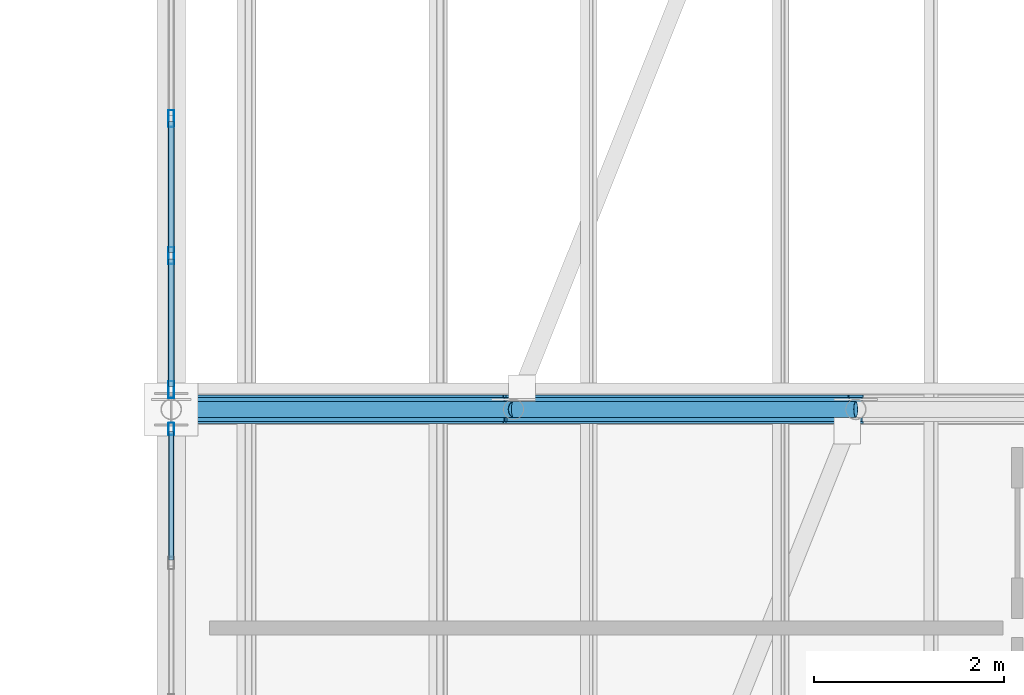
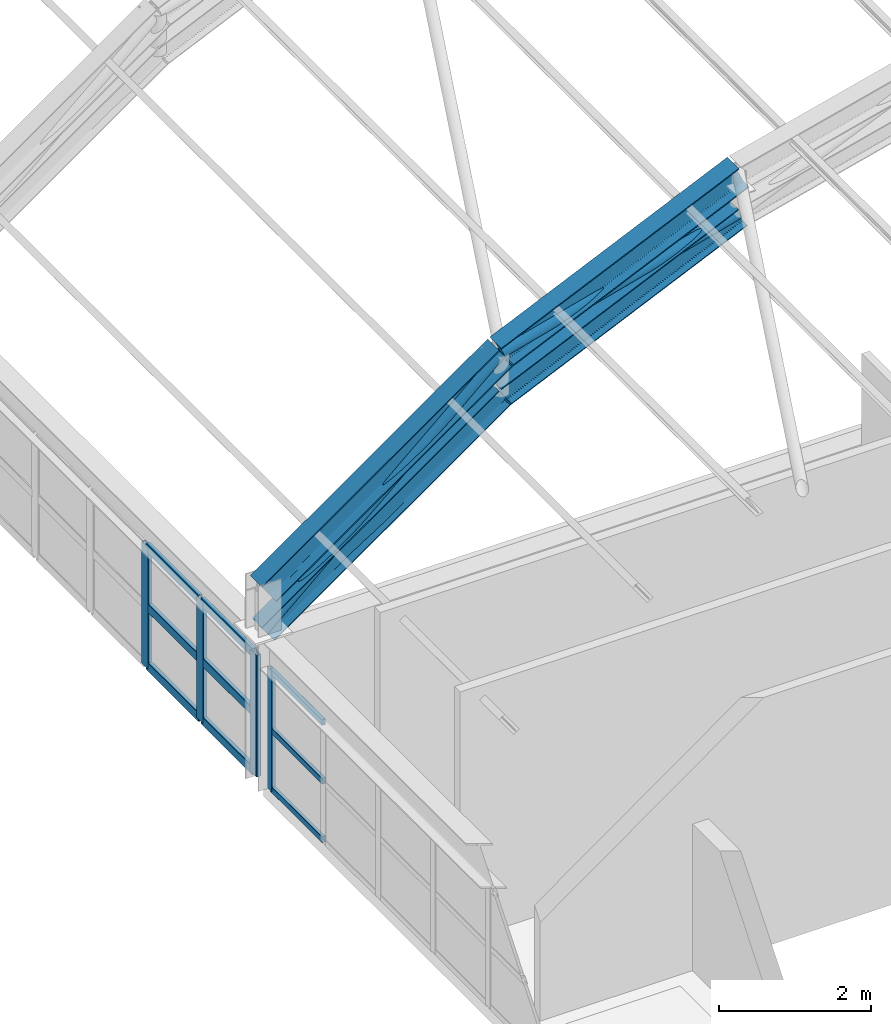
# One storey, part 29 of 121: 17 members, 2 beams, 2 elements without a shape of their own.
"""IFC4 building model written with IfcOpenShell, lengths in metres."""

from ifc_helpers import new_model, si_unit, direction, frame, origin, origin_2d, place, context, subcontext, project, spatial, hollow_rectangle, hollow_circle, i_section, extrude, material, material_profile, profile_set, type_object, element, aggregate, save


model = new_model("IFC4")

# Units and contexts
model_context = context("Model", 3, precision=1e-05, world=origin(), true_north=direction((0.0, 1.0)))
body_context = subcontext(model_context, "Body", "Model", "MODEL_VIEW")
ifc_project = project(units=[si_unit("LENGTHUNIT", "METRE"), si_unit("AREAUNIT", "SQUARE_METRE"), si_unit("VOLUMEUNIT", "CUBIC_METRE"), si_unit("PLANEANGLEUNIT", "RADIAN"), si_unit("MASSUNIT", "GRAM", prefix="KILO")], contexts=[model_context])

# Site, building, storey
site_placement = place(None, origin())
site = spatial("IfcSite", under=ifc_project, at=site_placement, CompositionType="ELEMENT")
building_placement = place(site_placement, origin())
building = spatial("IfcBuilding", under=site, at=building_placement, Name="Canglan Escarpment Cableway Terminal", CompositionType="ELEMENT")
storey_placement = place(building_placement, frame((0.0, 0.0, 24.60009765625)))
storey = spatial("IfcBuildingStorey", under=building, at=storey_placement, Name="L05", CompositionType="ELEMENT", Elevation=24.60009765625)

# Beams
ifc_material_1 = material(Name="Steel Q355B", Category="steel")
ifc_material_profile_1 = material_profile(ifc_material_1, i_section(OverallWidth=0.300048828125, OverallDepth=0.389892578125, WebThickness=0.010009765625, FlangeThickness=0.01611328125, FilletRadius=0.02197265625, at=origin_2d()), Name="HM 390x300x10x16")
ifc_profile_set_1 = profile_set([ifc_material_profile_1], Name="Steel Q355B")
beam_type = type_object("IfcBeamType", Name="BM-ARCH-TOP-HM390", PredefinedType="BEAM", material=ifc_profile_set_1)
beam_1_placement = place(storey_placement, frame((137.60009765625, 52.0, 3.08251953125), z_axis=(0.817731009495, 0.0, 0.575600552563), x_axis=(0.0, 1.0, 0.0)))
element("IfcBeam", 1, at=beam_1_placement, inside=storey, type_object=beam_type, Name="Vault ROOF TRUSS arch top chord AR-TC1", PredefinedType="BEAM", context=body_context, shape_type="SweptSolid", body=[
    extrude(i_section(OverallWidth=0.300048828125, OverallDepth=0.389892578125, WebThickness=0.010009765625, FlangeThickness=0.01611328125, FilletRadius=0.02197265625, at=origin_2d()), origin(), (0.0, 0.0, 1.0), 4.40234375),
])
beam_2_placement = place(storey_placement, frame((141.199951171875, 52.0, 5.616455078125), z_axis=(0.911752518833, 0.0, 0.410739996108), x_axis=(0.0, 1.0, 0.0)))
element("IfcBeam", 2, at=beam_2_placement, inside=storey, type_object=beam_type, Name="Vault ROOF TRUSS arch top chord AR-TC1", PredefinedType="BEAM", context=body_context, shape_type="SweptSolid", body=[
    extrude(i_section(OverallWidth=0.300048828125, OverallDepth=0.389892578125, WebThickness=0.010009765625, FlangeThickness=0.01611328125, FilletRadius=0.02197265625, at=origin_2d()), origin(), (0.0, 0.0, 1.0), 3.948486328125),
])

# Curtain wall, member
ifc_material_2 = material(Name="Anodized bronze aluminium and Low-E double glazing", Category="aluminium")
curtain_wall_type_1 = type_object("IfcCurtainWallType", Name="CW-BAY-8650x1925", PredefinedType="NOTDEFINED", material=ifc_material_2)
curtain_wall_1_placement = place(storey_placement, origin())
curtain_wall_1 = element("IfcCurtainWall", 3, at=curtain_wall_1_placement, inside=storey, type_object=curtain_wall_type_1, Name="Classical bay-between-piers glazed curtain wall CW-65", PredefinedType="NOTDEFINED")
ifc_material_3 = material(Name="Thermally broken anodized aluminium 6063-T6", Category="aluminium")
ifc_material_profile_2 = material_profile(ifc_material_3, hollow_rectangle(XDim=0.06005859375, YDim=0.1298828125, WallThickness=0.0029296875, InnerFilletRadius=0.0029296875, OuterFilletRadius=0.006103515625, at=origin_2d()), Name="ALU-MULL 60x130x3")
ifc_profile_set_2 = profile_set([ifc_material_profile_2], Name="Thermally broken anodized aluminium 6063-T6")
member_type_1 = type_object("IfcMemberType", Name="CWM-01", PredefinedType="MULLION", material=ifc_profile_set_2)
member_1_placement = place(storey_placement, frame((137.60009765625, 51.794921875, 0.0), z_axis=(0.0, 0.0, 1.0), x_axis=(1.0, 0.0, 0.0)))
member_1 = element("IfcMember", 4, at=member_1_placement, type_object=member_type_1, Name="CW-65 mullion 1", PredefinedType="MULLION", context=body_context, shape_type="SweptSolid", body=[
    extrude(hollow_rectangle(XDim=0.06005859375, YDim=0.1298828125, WallThickness=0.0029296875, InnerFilletRadius=0.0029296875, OuterFilletRadius=0.006103515625, at=origin_2d()), origin(), (0.0, 0.0, 1.0), 1.932373046875),
])

# Curtain wall, members
curtain_wall_type_2 = type_object("IfcCurtainWallType", Name="CW-BAY-8650x1950", PredefinedType="NOTDEFINED", material=ifc_material_2)
curtain_wall_2_placement = place(storey_placement, origin())
curtain_wall_2 = element("IfcCurtainWall", 5, at=curtain_wall_2_placement, inside=storey, type_object=curtain_wall_type_2, Name="Classical bay-between-piers glazed curtain wall CW-66", PredefinedType="NOTDEFINED")
ifc_material_profile_3 = material_profile(ifc_material_3, hollow_rectangle(XDim=0.06494140625, YDim=0.179931640625, WallThickness=0.00390625, InnerFilletRadius=0.00390625, OuterFilletRadius=0.008056640625, at=origin_2d()), Name="ALU-MULL 65x180x4")
ifc_profile_set_3 = profile_set([ifc_material_profile_3], Name="Thermally broken anodized aluminium 6063-T6")
member_type_2 = type_object("IfcMemberType", Name="CWM-03", PredefinedType="MULLION", material=ifc_profile_set_3)
member_2_placement = place(storey_placement, frame((137.60009765625, 55.058349609375, 0.0), z_axis=(0.0, 0.0, 1.0), x_axis=(1.0, 0.0, 0.0)))
member_2 = element("IfcMember", 6, at=member_2_placement, type_object=member_type_2, Name="CW-66 mullion 5", PredefinedType="MULLION", context=body_context, shape_type="SweptSolid", body=[
    extrude(hollow_rectangle(XDim=0.06494140625, YDim=0.179931640625, WallThickness=0.00390625, InnerFilletRadius=0.00390625, OuterFilletRadius=0.008056640625, at=origin_2d()), origin(), (0.0, 0.0, 1.0), 1.949951171875),
])
member_3_placement = place(storey_placement, frame((137.60009765625, 53.61669921875, 0.0), z_axis=(0.0, 0.0, 1.0), x_axis=(1.0, 0.0, 0.0)))
member_3 = element("IfcMember", 7, at=member_3_placement, type_object=member_type_2, Name="CW-66 mullion 6", PredefinedType="MULLION", context=body_context, shape_type="SweptSolid", body=[
    extrude(hollow_rectangle(XDim=0.06494140625, YDim=0.179931640625, WallThickness=0.00390625, InnerFilletRadius=0.00390625, OuterFilletRadius=0.008056640625, at=origin_2d()), origin(), (0.0, 0.0, 1.0), 1.949951171875),
])
member_4_placement = place(storey_placement, frame((137.60009765625, 52.20751953125, 0.0), z_axis=(0.0, 0.0, 1.0), x_axis=(1.0, 0.0, 0.0)))
member_4 = element("IfcMember", 8, at=member_4_placement, type_object=member_type_2, Name="CW-66 mullion 7", PredefinedType="MULLION", context=body_context, shape_type="SweptSolid", body=[
    extrude(hollow_rectangle(XDim=0.06494140625, YDim=0.179931640625, WallThickness=0.00390625, InnerFilletRadius=0.00390625, OuterFilletRadius=0.008056640625, at=origin_2d()), origin(), (0.0, 0.0, 1.0), 1.949951171875),
])

# Member
ifc_material_profile_4 = material_profile(ifc_material_3, hollow_rectangle(XDim=0.054931640625, YDim=0.094970703125, WallThickness=0.0029296875, InnerFilletRadius=0.0029296875, OuterFilletRadius=0.006103515625, at=origin_2d()), Name="ALU-TRAN 55x95x3")
ifc_profile_set_4 = profile_set([ifc_material_profile_4], Name="Thermally broken anodized aluminium 6063-T6")
member_type_3 = type_object("IfcMemberType", Name="CWT-01", PredefinedType="USERDEFINED", material=ifc_profile_set_4)
member_5_placement = place(storey_placement, frame((137.60009765625, 51.764892578125, 0.02734375), z_axis=(0.0, -1.0, 0.0), x_axis=(1.0, 0.0, 0.0)))
member_5 = element("IfcMember", 9, at=member_5_placement, type_object=member_type_3, Name="CW-65 transom 1.1", ObjectType="TRANSOM", PredefinedType="USERDEFINED", context=body_context, shape_type="SweptSolid", body=[
    extrude(hollow_rectangle(XDim=0.054931640625, YDim=0.094970703125, WallThickness=0.0029296875, InnerFilletRadius=0.0029296875, OuterFilletRadius=0.006103515625, at=origin_2d()), origin(), (0.0, 0.0, 1.0), 1.3515625),
])

member_6_placement = place(storey_placement, frame((137.60009765625, 51.764892578125, 0.96630859375), z_axis=(0.0, -1.0, 0.0), x_axis=(1.0, 0.0, 0.0)))
member_6 = element("IfcMember", 10, at=member_6_placement, type_object=member_type_3, Name="CW-65 transom 1.2", ObjectType="TRANSOM", PredefinedType="USERDEFINED", context=body_context, shape_type="SweptSolid", body=[
    extrude(hollow_rectangle(XDim=0.054931640625, YDim=0.094970703125, WallThickness=0.0029296875, InnerFilletRadius=0.0029296875, OuterFilletRadius=0.006103515625, at=origin_2d()), origin(), (0.0, 0.0, 1.0), 1.3515625),
])

member_7_placement = place(storey_placement, frame((137.60009765625, 51.764892578125, 1.90478515625), z_axis=(0.0, -1.0, 0.0), x_axis=(1.0, 0.0, 0.0)))
member_7 = element("IfcMember", 11, at=member_7_placement, type_object=member_type_3, Name="CW-65 transom 1.3", ObjectType="TRANSOM", PredefinedType="USERDEFINED", context=body_context, shape_type="SweptSolid", body=[
    extrude(hollow_rectangle(XDim=0.054931640625, YDim=0.094970703125, WallThickness=0.0029296875, InnerFilletRadius=0.0029296875, OuterFilletRadius=0.006103515625, at=origin_2d()), origin(), (0.0, 0.0, 1.0), 1.3515625),
])

aggregate(curtain_wall_1, [member_1, member_5, member_6, member_7])

ifc_material_profile_5 = material_profile(ifc_material_3, hollow_rectangle(XDim=0.06494140625, YDim=0.139892578125, WallThickness=0.00341796875, InnerFilletRadius=0.00341796875, OuterFilletRadius=0.007080078125, at=origin_2d()), Name="ALU-TRAN 65x140x3.5")
ifc_profile_set_5 = profile_set([ifc_material_profile_5], Name="Thermally broken anodized aluminium 6063-T6")
member_type_4 = type_object("IfcMemberType", Name="CWT-03", PredefinedType="USERDEFINED", material=ifc_profile_set_5)
member_8_placement = place(storey_placement, frame((137.60009765625, 55.02587890625, 0.032470703125), z_axis=(0.0, -1.0, 0.0), x_axis=(1.0, 0.0, 0.0)))
member_8 = element("IfcMember", 12, at=member_8_placement, type_object=member_type_4, Name="CW-66 transom 5.1", ObjectType="TRANSOM", PredefinedType="USERDEFINED", context=body_context, shape_type="SweptSolid", body=[
    extrude(hollow_rectangle(XDim=0.06494140625, YDim=0.139892578125, WallThickness=0.00341796875, InnerFilletRadius=0.00341796875, OuterFilletRadius=0.007080078125, at=origin_2d()), origin(), (0.0, 0.0, 1.0), 1.376708984375),
])

member_9_placement = place(storey_placement, frame((137.60009765625, 55.02587890625, 0.974853515625), z_axis=(0.0, -1.0, 0.0), x_axis=(1.0, 0.0, 0.0)))
member_9 = element("IfcMember", 13, at=member_9_placement, type_object=member_type_4, Name="CW-66 transom 5.2", ObjectType="TRANSOM", PredefinedType="USERDEFINED", context=body_context, shape_type="SweptSolid", body=[
    extrude(hollow_rectangle(XDim=0.06494140625, YDim=0.139892578125, WallThickness=0.00341796875, InnerFilletRadius=0.00341796875, OuterFilletRadius=0.007080078125, at=origin_2d()), origin(), (0.0, 0.0, 1.0), 1.376708984375),
])

member_10_placement = place(storey_placement, frame((137.60009765625, 55.02587890625, 1.91748046875), z_axis=(0.0, -1.0, 0.0), x_axis=(1.0, 0.0, 0.0)))
member_10 = element("IfcMember", 14, at=member_10_placement, type_object=member_type_4, Name="CW-66 transom 5.3", ObjectType="TRANSOM", PredefinedType="USERDEFINED", context=body_context, shape_type="SweptSolid", body=[
    extrude(hollow_rectangle(XDim=0.06494140625, YDim=0.139892578125, WallThickness=0.00341796875, InnerFilletRadius=0.00341796875, OuterFilletRadius=0.007080078125, at=origin_2d()), origin(), (0.0, 0.0, 1.0), 1.376708984375),
])

member_11_placement = place(storey_placement, frame((137.60009765625, 53.584228515625, 0.032470703125), z_axis=(0.0, -1.0, 0.0), x_axis=(1.0, 0.0, 0.0)))
member_11 = element("IfcMember", 15, at=member_11_placement, type_object=member_type_4, Name="CW-66 transom 6.1", ObjectType="TRANSOM", PredefinedType="USERDEFINED", context=body_context, shape_type="SweptSolid", body=[
    extrude(hollow_rectangle(XDim=0.06494140625, YDim=0.139892578125, WallThickness=0.00341796875, InnerFilletRadius=0.00341796875, OuterFilletRadius=0.007080078125, at=origin_2d()), origin(), (0.0, 0.0, 1.0), 1.34423828125),
])

member_12_placement = place(storey_placement, frame((137.60009765625, 53.584228515625, 0.974853515625), z_axis=(0.0, -1.0, 0.0), x_axis=(1.0, 0.0, 0.0)))
member_12 = element("IfcMember", 16, at=member_12_placement, type_object=member_type_4, Name="CW-66 transom 6.2", ObjectType="TRANSOM", PredefinedType="USERDEFINED", context=body_context, shape_type="SweptSolid", body=[
    extrude(hollow_rectangle(XDim=0.06494140625, YDim=0.139892578125, WallThickness=0.00341796875, InnerFilletRadius=0.00341796875, OuterFilletRadius=0.007080078125, at=origin_2d()), origin(), (0.0, 0.0, 1.0), 1.34423828125),
])

member_13_placement = place(storey_placement, frame((137.60009765625, 53.584228515625, 1.91748046875), z_axis=(0.0, -1.0, 0.0), x_axis=(1.0, 0.0, 0.0)))
member_13 = element("IfcMember", 17, at=member_13_placement, type_object=member_type_4, Name="CW-66 transom 6.3", ObjectType="TRANSOM", PredefinedType="USERDEFINED", context=body_context, shape_type="SweptSolid", body=[
    extrude(hollow_rectangle(XDim=0.06494140625, YDim=0.139892578125, WallThickness=0.00341796875, InnerFilletRadius=0.00341796875, OuterFilletRadius=0.007080078125, at=origin_2d()), origin(), (0.0, 0.0, 1.0), 1.34423828125),
])

aggregate(curtain_wall_2, [member_2, member_3, member_4, member_8, member_9, member_10, member_11, member_12, member_13])

# Members
ifc_material_profile_6 = material_profile(ifc_material_1, i_section(OverallWidth=0.25, OverallDepth=0.340087890625, WebThickness=0.009033203125, FlangeThickness=0.013916015625, FilletRadius=0.02001953125, at=origin_2d()), Name="HM 340x250x9x14")
ifc_profile_set_6 = profile_set([ifc_material_profile_6], Name="Steel Q355B")
member_type_5 = type_object("IfcMemberType", Name="MB-ARCH-BOT-HM340", PredefinedType="CHORD", material=ifc_profile_set_6)
member_14_placement = place(storey_placement, frame((137.60009765625, 52.0, 2.432373046875), z_axis=(0.81770490607, 0.0, 0.575637634792), x_axis=(0.0, 1.0, 0.0)))
element("IfcMember", 18, at=member_14_placement, inside=storey, type_object=member_type_5, Name="Vault ROOF TRUSS arch bottom chord AR-BC1", PredefinedType="CHORD", context=body_context, shape_type="SweptSolid", body=[
    extrude(i_section(OverallWidth=0.25, OverallDepth=0.340087890625, WebThickness=0.009033203125, FlangeThickness=0.013916015625, FilletRadius=0.02001953125, at=origin_2d()), origin(), (0.0, 0.0, 1.0), 4.40234375),
])
member_15_placement = place(storey_placement, frame((141.199951171875, 52.0, 4.966552734375), z_axis=(0.911752518833, 0.0, 0.410739996108), x_axis=(0.0, 1.0, 0.0)))
element("IfcMember", 19, at=member_15_placement, inside=storey, type_object=member_type_5, Name="Vault ROOF TRUSS arch bottom chord AR-BC1", PredefinedType="CHORD", context=body_context, shape_type="SweptSolid", body=[
    extrude(i_section(OverallWidth=0.25, OverallDepth=0.340087890625, WebThickness=0.009033203125, FlangeThickness=0.013916015625, FilletRadius=0.02001953125, at=origin_2d()), origin(), (0.0, 0.0, 1.0), 3.948486328125),
])
ifc_material_profile_7 = material_profile(ifc_material_1, hollow_circle(Radius=0.084228515625, WallThickness=0.006103515625, at=origin_2d()), Name="CHS 168.3x6")
ifc_profile_set_7 = profile_set([ifc_material_profile_7], Name="Steel Q355B")
member_type_6 = type_object("IfcMemberType", Name="MB-ARCH-DIAG-CHS168", PredefinedType="BRACE", material=ifc_profile_set_7)
member_16_placement = place(storey_placement, frame((137.60009765625, 52.0, 2.432373046875), z_axis=(0.749038254518, 0.0, 0.662526749096), x_axis=(0.0, 1.0, 0.0)))
element("IfcMember", 20, at=member_16_placement, inside=storey, type_object=member_type_6, Name="Vault ROOF TRUSS web diagonal AR-DG1", PredefinedType="BRACE", context=body_context, shape_type="SweptSolid", body=[
    extrude(hollow_circle(Radius=0.084228515625, WallThickness=0.006103515625, at=origin_2d()), origin(), (0.0, 0.0, 1.0), 4.805908203125),
])
member_17_placement = place(storey_placement, frame((141.199951171875, 52.0, 5.616455078125), z_axis=(0.96543600217, 0.0, 0.260640222748), x_axis=(0.0, 1.0, 0.0)))
element("IfcMember", 21, at=member_17_placement, inside=storey, type_object=member_type_6, Name="Vault ROOF TRUSS web diagonal AR-DG1", PredefinedType="BRACE", context=body_context, shape_type="SweptSolid", body=[
    extrude(hollow_circle(Radius=0.084228515625, WallThickness=0.006103515625, at=origin_2d()), origin(), (0.0, 0.0, 1.0), 3.72900390625),
])

save(model, "model.ifc")
